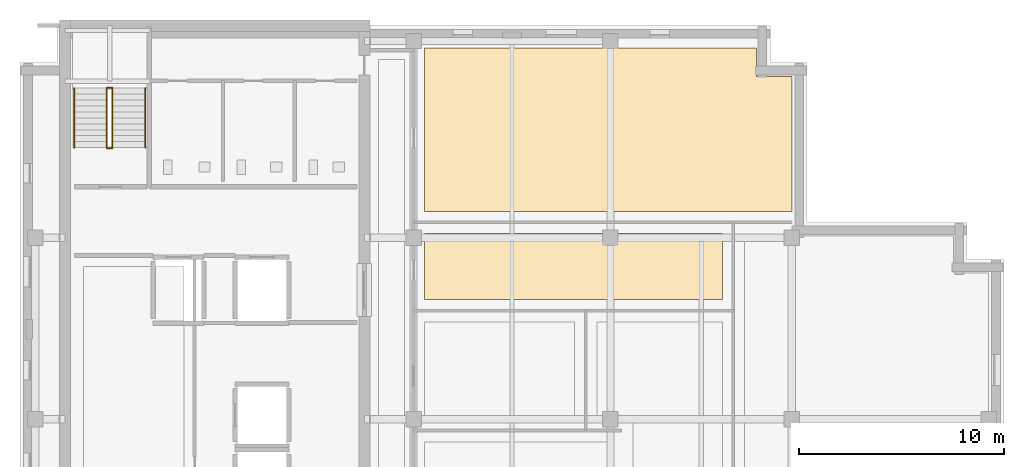
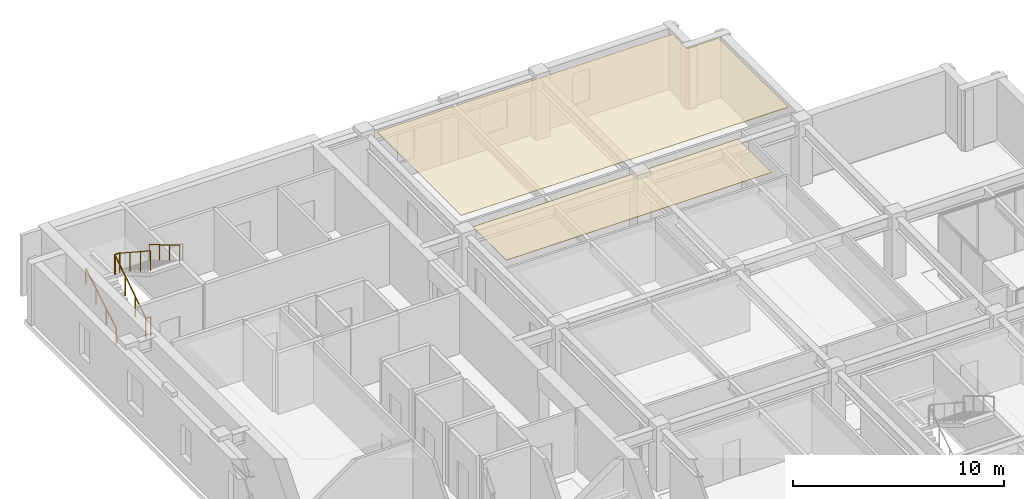
# One storey, part 12 of 13: 6 railings, 2 coverings.
"""IFC4 building model written with IfcOpenShell, lengths in metres."""

from ifc_helpers import new_model, si_unit, direction, frame, origin, origin_2d, place, context, subcontext, project, spatial, polyline, circle, outline, extrude, material, layer, layer_set, type_object, element, save


model = new_model("IFC4")

# Units and contexts
model_context = context("Model", 3, precision=1e-05, world=origin(), true_north=direction((0.0, 1.0)))
body_context = subcontext(model_context, "Body", "Model", "MODEL_VIEW")
ifc_project = project(units=[si_unit("LENGTHUNIT", "METRE"), si_unit("AREAUNIT", "SQUARE_METRE"), si_unit("VOLUMEUNIT", "CUBIC_METRE"), si_unit("PLANEANGLEUNIT", "RADIAN"), si_unit("MASSUNIT", "GRAM", prefix="KILO")], contexts=[model_context])

# Site, building, storey
site_placement = place(None, origin())
site = spatial("IfcSite", under=ifc_project, at=site_placement, CompositionType="ELEMENT")
building_placement = place(site_placement, origin())
building = spatial("IfcBuilding", under=site, at=building_placement, Name="Norrvale University Quadrangle", CompositionType="ELEMENT")
storey_placement = place(building_placement, frame((0.0, 0.0, 277.199951171875)))
storey = spatial("IfcBuildingStorey", under=building, at=storey_placement, Name="L70", CompositionType="ELEMENT", Elevation=277.199951171875)

# Coverings
ifc_material_1 = material(Name="Perforated Acoustic Mineral Ceiling")
ifc_layer = layer(ifc_material_1, 0.02490234375, Name="Perforated Acoustic Mineral Ceiling")
ifc_layer_set = layer_set([ifc_layer], Name="Perforated Acoustic Mineral Ceiling")
covering_type = type_object("IfcCoveringType", Name="Covering Acoustic Ceiling 25", PredefinedType="CEILING", material=ifc_layer_set)
covering_1_placement = place(storey_placement, frame((0.0, 0.0, 3.51513671875)))
element("IfcCovering", 1, at=covering_1_placement, inside=storey, type_object=covering_type, Name="Acoustic Ceiling RM-L70-MEN3", PredefinedType="CEILING", context=body_context, shape_type="SweptSolid", body=[
    extrude(outline(polyline([(19.72998046875, 34.64990234375), (19.72998046875, 37.85009765625), (34.27001953125, 37.85009765625), (34.27001953125, 34.64990234375), (19.72998046875, 34.64990234375)])), origin(), (0.0, 0.0, 1.0), 0.02490234375),
])
covering_2_placement = place(storey_placement, frame((0.0, 0.0, 3.51513671875)))
element("IfcCovering", 2, at=covering_2_placement, inside=storey, type_object=covering_type, Name="Acoustic Ceiling RM-L70-NE01", PredefinedType="CEILING", context=body_context, shape_type="SweptSolid", body=[
    extrude(outline(polyline([(37.64990234375, 38.929931640625), (19.72998046875, 38.929931640625), (19.72998046875, 46.919921875), (35.929931640625, 46.919921875), (35.929931640625, 45.530029296875), (37.64990234375, 45.530029296875), (37.64990234375, 38.929931640625)])), origin(), (0.0, 0.0, 1.0), 0.02490234375),
])

# Railings
ifc_material_2 = material(Name="Steel 350W Painted Balustrade", Category="steel")
railing_type_1 = type_object("IfcRailingType", Name="Railing Stair Guard 1100", PredefinedType="GUARDRAIL", material=ifc_material_2)
for number, where, name in (
    (3, (4.239990234375, 42.02001953125, 0.0), "Stair Floor Well Guard ST-02 L70"),
    (4, (4.239990234375, 44.97998046875, 1.900146484375), "Stair Mid-Landing Slot Guard ST-02 L70"),
):
    element("IfcRailing", number, at=place(storey_placement, frame(where)), inside=storey, type_object=railing_type_1, Name=name, PredefinedType="GUARDRAIL", context=body_context, shape_type="SweptSolid", body=[
        extrude(circle(Radius=0.02392578125, at=origin_2d()), frame((0.0, 0.0, 1.1259765625), z_axis=(1.0, 0.0, 0.0), x_axis=(0.0, 1.0, 0.0)), (0.0, 0.0, 1.0), 0.27001953125),
        extrude(circle(Radius=0.02099609375, at=origin_2d()), origin(), (0.0, 0.0, 1.0), 1.101806640625),
        extrude(circle(Radius=0.02099609375, at=origin_2d()), frame((0.27001953125, 0.0, 0.0)), (0.0, 0.0, 1.0), 1.101806640625),
    ])
railing_1_placement = place(storey_placement, frame((4.239990234375, 42.050048828125, 0.0)))
element("IfcRailing", 5, at=railing_1_placement, inside=storey, type_object=railing_type_1, Name="Stair Lower Flight Inner Guard ST-02 L70", PredefinedType="GUARDRAIL", context=body_context, shape_type="SweptSolid", body=[
    extrude(circle(Radius=0.02392578125, at=origin_2d()), frame((0.0, 0.0, 1.1259765625), z_axis=(0.0, 0.836433300813, 0.548068730445), x_axis=(-1.0, 0.0, 0.0)), (0.0, 0.0, 1.0), 3.467041015625),
    extrude(circle(Radius=0.02099609375, at=origin_2d()), origin(), (0.0, 0.0, 1.0), 1.101806640625),
    extrude(circle(Radius=0.02099609375, at=origin_2d()), frame((0.0, 0.966552734375, 0.63330078125)), (0.0, 0.0, 1.0), 1.101806640625),
    extrude(circle(Radius=0.02099609375, at=origin_2d()), frame((0.0, 1.933349609375, 1.266845703125)), (0.0, 0.0, 1.0), 1.101806640625),
    extrude(circle(Radius=0.02099609375, at=origin_2d()), frame((0.0, 2.89990234375, 1.900146484375)), (0.0, 0.0, 1.0), 1.101806640625),
])
railing_2_placement = place(storey_placement, frame((4.510009765625, 44.949951171875, 1.900146484375)))
element("IfcRailing", 6, at=railing_2_placement, inside=storey, type_object=railing_type_1, Name="Stair Upper Flight Inner Guard ST-02 L70", PredefinedType="GUARDRAIL", context=body_context, shape_type="SweptSolid", body=[
    extrude(circle(Radius=0.02392578125, at=origin_2d()), frame((0.0, 0.0, 1.1259765625), z_axis=(0.0, -0.836465582154, 0.548019461216), x_axis=(1.0, 0.0, 0.0)), (0.0, 0.0, 1.0), 3.466796875),
    extrude(circle(Radius=0.02099609375, at=origin_2d()), origin(), (0.0, 0.0, 1.0), 1.101806640625),
    extrude(circle(Radius=0.02099609375, at=origin_2d()), frame((0.0, -0.966552734375, 0.63330078125)), (0.0, 0.0, 1.0), 1.101806640625),
    extrude(circle(Radius=0.02099609375, at=origin_2d()), frame((0.0, -1.933349609375, 1.2666015625)), (0.0, 0.0, 1.0), 1.101806640625),
    extrude(circle(Radius=0.02099609375, at=origin_2d()), frame((0.0, -2.89990234375, 1.89990234375)), (0.0, 0.0, 1.0), 1.101806640625),
])
ifc_material_3 = material(Name="Stainless Steel 316L Handrail", Category="steel")
railing_type_2 = type_object("IfcRailingType", Name="Railing Stair Handrail 920", PredefinedType="HANDRAIL", material=ifc_material_3)
railing_3_placement = place(storey_placement, frame((2.639892578125, 42.050048828125, 0.1728515625)))
element("IfcRailing", 7, at=railing_3_placement, inside=storey, type_object=railing_type_2, Name="Stair Lower Flight Handrail ST-02 L70", PredefinedType="HANDRAIL", context=body_context, shape_type="SweptSolid", body=[
    extrude(circle(Radius=0.02392578125, at=origin_2d()), frame((0.0, 0.0, 0.89599609375), z_axis=(0.0, 0.859141464434, 0.511738159696), x_axis=(-1.0, 0.0, 0.0)), (0.0, 0.0, 1.0), 3.375244140625),
    extrude(circle(Radius=0.02099609375, at=origin_2d()), origin(), (0.0, 0.0, 1.0), 0.871826171875),
    extrude(circle(Radius=0.02099609375, at=origin_2d()), frame((0.0, 0.966552734375, 0.57568359375)), (0.0, 0.0, 1.0), 0.871826171875),
    extrude(circle(Radius=0.02099609375, at=origin_2d()), frame((0.0, 1.933349609375, 1.151611328125)), (0.0, 0.0, 1.0), 0.871826171875),
    extrude(circle(Radius=0.02099609375, at=origin_2d()), frame((0.0, 2.89990234375, 1.727294921875)), (0.0, 0.0, 1.0), 0.871826171875),
])
railing_4_placement = place(storey_placement, frame((6.110107421875, 44.949951171875, 2.07275390625)))
element("IfcRailing", 8, at=railing_4_placement, inside=storey, type_object=railing_type_2, Name="Stair Upper Flight Handrail ST-02 L70", PredefinedType="HANDRAIL", context=body_context, shape_type="SweptSolid", body=[
    extrude(circle(Radius=0.02392578125, at=origin_2d()), frame((0.0, 0.0, 0.89599609375), z_axis=(0.0, -0.859141464434, 0.511738159696), x_axis=(1.0, 0.0, 0.0)), (0.0, 0.0, 1.0), 3.375244140625),
    extrude(circle(Radius=0.02099609375, at=origin_2d()), origin(), (0.0, 0.0, 1.0), 0.871826171875),
    extrude(circle(Radius=0.02099609375, at=origin_2d()), frame((0.0, -0.966552734375, 0.57568359375)), (0.0, 0.0, 1.0), 0.871826171875),
    extrude(circle(Radius=0.02099609375, at=origin_2d()), frame((0.0, -1.933349609375, 1.151611328125)), (0.0, 0.0, 1.0), 0.871826171875),
    extrude(circle(Radius=0.02099609375, at=origin_2d()), frame((0.0, -2.89990234375, 1.727294921875)), (0.0, 0.0, 1.0), 0.871826171875),
])

save(model, "model.ifc")
